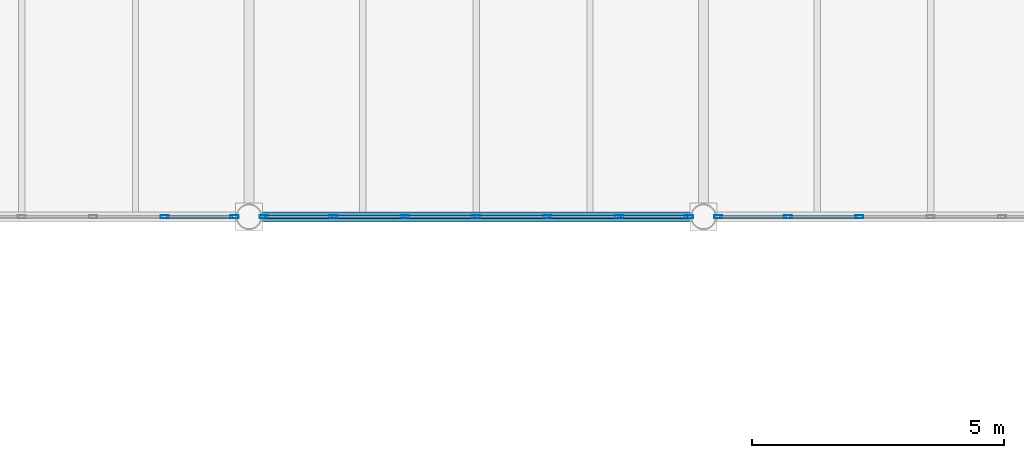
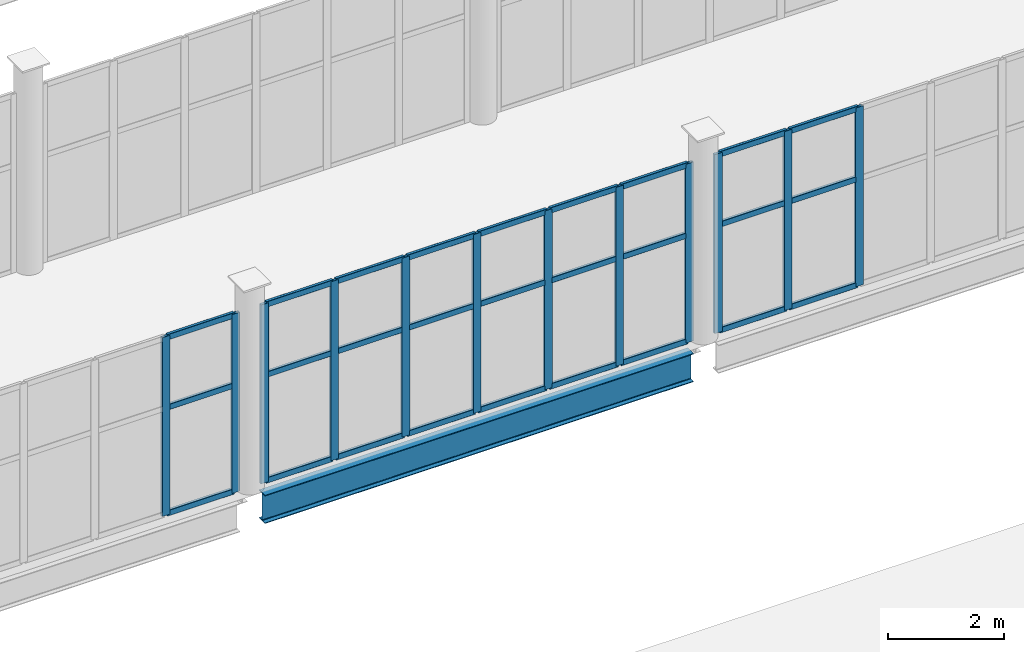
# One storey, part 80 of 136: 39 members, 1 beam, 3 elements without a shape of their own.
"""IFC4 building model written with IfcOpenShell, lengths in metres."""

from ifc_helpers import new_model, si_unit, direction, frame, origin, origin_2d, place, context, subcontext, project, spatial, hollow_rectangle, i_section, extrude, material, material_profile, profile_set, type_object, element, aggregate, save


model = new_model("IFC4")

# Units and contexts
model_context = context("Model", 3, precision=1e-05, world=origin(), true_north=direction((0.0, 1.0)))
body_context = subcontext(model_context, "Body", "Model", "MODEL_VIEW")
ifc_project = project(units=[si_unit("LENGTHUNIT", "METRE"), si_unit("AREAUNIT", "SQUARE_METRE"), si_unit("VOLUMEUNIT", "CUBIC_METRE"), si_unit("PLANEANGLEUNIT", "RADIAN"), si_unit("MASSUNIT", "GRAM", prefix="KILO")], contexts=[model_context])

# Site, building, storey
site_placement = place(None, origin())
site = spatial("IfcSite", under=ifc_project, at=site_placement, CompositionType="ELEMENT")
building_placement = place(site_placement, origin())
building = spatial("IfcBuilding", under=site, at=building_placement, Name="Shengluoqiao Park Theatre", CompositionType="ELEMENT")
storey_placement = place(building_placement, frame((0.0, 0.0, 10.0)))
storey = spatial("IfcBuildingStorey", under=building, at=storey_placement, Name="L02", CompositionType="ELEMENT", Elevation=10.0)

# Curtain wall, members
ifc_material_1 = material(Name="Aluminium 6063-T6", Category="aluminium")
curtain_wall_type = type_object("IfcCurtainWallType", Name="ENV-CW-BRIDGE", PredefinedType="NOTDEFINED", material=ifc_material_1)
curtain_wall_1_placement = place(storey_placement, origin())
curtain_wall_1 = element("IfcCurtainWall", 1, at=curtain_wall_1_placement, inside=storey, type_object=curtain_wall_type, Name="L02 Curtain Wall CWX-L02-0111", PredefinedType="NOTDEFINED")
ifc_material_profile_1 = material_profile(ifc_material_1, hollow_rectangle(XDim=0.06005859375, YDim=0.159912109375, WallThickness=0.00390625, InnerFilletRadius=0.00390625, OuterFilletRadius=0.008056640625, at=origin_2d()), Name="ALU MULLION 160x60x4")
ifc_profile_set_1 = profile_set([ifc_material_profile_1], Name="Aluminium 6063-T6")
member_type_1 = type_object("IfcMemberType", Name="ENV-MUL-160", PredefinedType="MULLION", material=ifc_profile_set_1)
member_1_placement = place(storey_placement, frame((128.72802734375, 68.39990234375, 0.0), z_axis=(0.0, 0.0, 1.0), x_axis=(0.0, 1.0, 0.0)))
member_1 = element("IfcMember", 2, at=member_1_placement, type_object=member_type_1, Name="CW-03 mullion 6", PredefinedType="MULLION", context=body_context, shape_type="SweptSolid", body=[
    extrude(hollow_rectangle(XDim=0.06005859375, YDim=0.159912109375, WallThickness=0.00390625, InnerFilletRadius=0.00390625, OuterFilletRadius=0.008056640625, at=origin_2d()), origin(), (0.0, 0.0, 1.0), 3.751953125),
])
member_2_placement = place(storey_placement, frame((130.112060546875, 68.39990234375, 0.0), z_axis=(0.0, 0.0, 1.0), x_axis=(0.0, 1.0, 0.0)))
member_2 = element("IfcMember", 3, at=member_2_placement, type_object=member_type_1, Name="CW-03 mullion 7", PredefinedType="MULLION", context=body_context, shape_type="SweptSolid", body=[
    extrude(hollow_rectangle(XDim=0.06005859375, YDim=0.159912109375, WallThickness=0.00390625, InnerFilletRadius=0.00390625, OuterFilletRadius=0.008056640625, at=origin_2d()), origin(), (0.0, 0.0, 1.0), 3.751953125),
])

curtain_wall_2_placement = place(storey_placement, origin())
curtain_wall_2 = element("IfcCurtainWall", 4, at=curtain_wall_2_placement, inside=storey, type_object=curtain_wall_type, Name="L02 Curtain Wall CWX-L02-0112", PredefinedType="NOTDEFINED")
member_3_placement = place(storey_placement, frame((130.68798828125, 68.39990234375, 0.0), z_axis=(0.0, 0.0, 1.0), x_axis=(0.0, 1.0, 0.0)))
member_3 = element("IfcMember", 5, at=member_3_placement, type_object=member_type_1, Name="CW-03 mullion 1", PredefinedType="MULLION", context=body_context, shape_type="SweptSolid", body=[
    extrude(hollow_rectangle(XDim=0.06005859375, YDim=0.159912109375, WallThickness=0.00390625, InnerFilletRadius=0.00390625, OuterFilletRadius=0.008056640625, at=origin_2d()), origin(), (0.0, 0.0, 1.0), 3.751953125),
])
member_4_placement = place(storey_placement, frame((132.072021484375, 68.39990234375, 0.0), z_axis=(0.0, 0.0, 1.0), x_axis=(0.0, 1.0, 0.0)))
member_4 = element("IfcMember", 6, at=member_4_placement, type_object=member_type_1, Name="CW-03 mullion 2", PredefinedType="MULLION", context=body_context, shape_type="SweptSolid", body=[
    extrude(hollow_rectangle(XDim=0.06005859375, YDim=0.159912109375, WallThickness=0.00390625, InnerFilletRadius=0.00390625, OuterFilletRadius=0.008056640625, at=origin_2d()), origin(), (0.0, 0.0, 1.0), 3.751953125),
])
member_5_placement = place(storey_placement, frame((133.486083984375, 68.39990234375, 0.0), z_axis=(0.0, 0.0, 1.0), x_axis=(0.0, 1.0, 0.0)))
member_5 = element("IfcMember", 7, at=member_5_placement, type_object=member_type_1, Name="CW-03 mullion 3", PredefinedType="MULLION", context=body_context, shape_type="SweptSolid", body=[
    extrude(hollow_rectangle(XDim=0.06005859375, YDim=0.159912109375, WallThickness=0.00390625, InnerFilletRadius=0.00390625, OuterFilletRadius=0.008056640625, at=origin_2d()), origin(), (0.0, 0.0, 1.0), 3.751953125),
])
member_6_placement = place(storey_placement, frame((134.89990234375, 68.39990234375, 0.0), z_axis=(0.0, 0.0, 1.0), x_axis=(0.0, 1.0, 0.0)))
member_6 = element("IfcMember", 8, at=member_6_placement, type_object=member_type_1, Name="CW-03 mullion 4", PredefinedType="MULLION", context=body_context, shape_type="SweptSolid", body=[
    extrude(hollow_rectangle(XDim=0.06005859375, YDim=0.159912109375, WallThickness=0.00390625, InnerFilletRadius=0.00390625, OuterFilletRadius=0.008056640625, at=origin_2d()), origin(), (0.0, 0.0, 1.0), 3.751953125),
])
member_7_placement = place(storey_placement, frame((136.31396484375, 68.39990234375, 0.0), z_axis=(0.0, 0.0, 1.0), x_axis=(0.0, 1.0, 0.0)))
member_7 = element("IfcMember", 9, at=member_7_placement, type_object=member_type_1, Name="CW-03 mullion 5", PredefinedType="MULLION", context=body_context, shape_type="SweptSolid", body=[
    extrude(hollow_rectangle(XDim=0.06005859375, YDim=0.159912109375, WallThickness=0.00390625, InnerFilletRadius=0.00390625, OuterFilletRadius=0.008056640625, at=origin_2d()), origin(), (0.0, 0.0, 1.0), 3.751953125),
])
member_8_placement = place(storey_placement, frame((137.72802734375, 68.39990234375, 0.0), z_axis=(0.0, 0.0, 1.0), x_axis=(0.0, 1.0, 0.0)))
member_8 = element("IfcMember", 10, at=member_8_placement, type_object=member_type_1, Name="CW-03 mullion 6", PredefinedType="MULLION", context=body_context, shape_type="SweptSolid", body=[
    extrude(hollow_rectangle(XDim=0.06005859375, YDim=0.159912109375, WallThickness=0.00390625, InnerFilletRadius=0.00390625, OuterFilletRadius=0.008056640625, at=origin_2d()), origin(), (0.0, 0.0, 1.0), 3.751953125),
])
member_9_placement = place(storey_placement, frame((139.112060546875, 68.39990234375, 0.0), z_axis=(0.0, 0.0, 1.0), x_axis=(0.0, 1.0, 0.0)))
member_9 = element("IfcMember", 11, at=member_9_placement, type_object=member_type_1, Name="CW-03 mullion 7", PredefinedType="MULLION", context=body_context, shape_type="SweptSolid", body=[
    extrude(hollow_rectangle(XDim=0.06005859375, YDim=0.159912109375, WallThickness=0.00390625, InnerFilletRadius=0.00390625, OuterFilletRadius=0.008056640625, at=origin_2d()), origin(), (0.0, 0.0, 1.0), 3.751953125),
])

curtain_wall_3_placement = place(storey_placement, origin())
curtain_wall_3 = element("IfcCurtainWall", 12, at=curtain_wall_3_placement, inside=storey, type_object=curtain_wall_type, Name="L02 Curtain Wall CWX-L02-0113", PredefinedType="NOTDEFINED")
member_10_placement = place(storey_placement, frame((139.68798828125, 68.39990234375, 0.0), z_axis=(0.0, 0.0, 1.0), x_axis=(0.0, 1.0, 0.0)))
member_10 = element("IfcMember", 13, at=member_10_placement, type_object=member_type_1, Name="CW-03 mullion 1", PredefinedType="MULLION", context=body_context, shape_type="SweptSolid", body=[
    extrude(hollow_rectangle(XDim=0.06005859375, YDim=0.159912109375, WallThickness=0.00390625, InnerFilletRadius=0.00390625, OuterFilletRadius=0.008056640625, at=origin_2d()), origin(), (0.0, 0.0, 1.0), 3.751953125),
])
member_11_placement = place(storey_placement, frame((141.072021484375, 68.39990234375, 0.0), z_axis=(0.0, 0.0, 1.0), x_axis=(0.0, 1.0, 0.0)))
member_11 = element("IfcMember", 14, at=member_11_placement, type_object=member_type_1, Name="CW-03 mullion 2", PredefinedType="MULLION", context=body_context, shape_type="SweptSolid", body=[
    extrude(hollow_rectangle(XDim=0.06005859375, YDim=0.159912109375, WallThickness=0.00390625, InnerFilletRadius=0.00390625, OuterFilletRadius=0.008056640625, at=origin_2d()), origin(), (0.0, 0.0, 1.0), 3.751953125),
])
member_12_placement = place(storey_placement, frame((142.486083984375, 68.39990234375, 0.0), z_axis=(0.0, 0.0, 1.0), x_axis=(0.0, 1.0, 0.0)))
member_12 = element("IfcMember", 15, at=member_12_placement, type_object=member_type_1, Name="CW-03 mullion 3", PredefinedType="MULLION", context=body_context, shape_type="SweptSolid", body=[
    extrude(hollow_rectangle(XDim=0.06005859375, YDim=0.159912109375, WallThickness=0.00390625, InnerFilletRadius=0.00390625, OuterFilletRadius=0.008056640625, at=origin_2d()), origin(), (0.0, 0.0, 1.0), 3.751953125),
])

# Member
ifc_material_profile_2 = material_profile(ifc_material_1, hollow_rectangle(XDim=0.06005859375, YDim=0.1201171875, WallThickness=0.00390625, InnerFilletRadius=0.00390625, OuterFilletRadius=0.008056640625, at=origin_2d()), Name="ALU TRANSOM 120x60x4")
ifc_profile_set_2 = profile_set([ifc_material_profile_2], Name="Aluminium 6063-T6")
member_type_2 = type_object("IfcMemberType", Name="ENV-TRN-120", PredefinedType="USERDEFINED", material=ifc_profile_set_2)
member_13_placement = place(storey_placement, frame((128.758056640625, 68.39990234375, 0.030029296875), z_axis=(1.0, 0.0, 0.0), x_axis=(0.0, 1.0, 0.0)))
member_13 = element("IfcMember", 16, at=member_13_placement, type_object=member_type_2, Name="CW-03 transom 6.1", ObjectType="TRANSOM", PredefinedType="USERDEFINED", context=body_context, shape_type="SweptSolid", body=[
    extrude(hollow_rectangle(XDim=0.06005859375, YDim=0.1201171875, WallThickness=0.00390625, InnerFilletRadius=0.00390625, OuterFilletRadius=0.008056640625, at=origin_2d()), origin(), (0.0, 0.0, 1.0), 1.323974609375),
])

member_14_placement = place(storey_placement, frame((128.758056640625, 68.39990234375, 2.2509765625), z_axis=(1.0, 0.0, 0.0), x_axis=(0.0, 1.0, 0.0)))
member_14 = element("IfcMember", 17, at=member_14_placement, type_object=member_type_2, Name="CW-03 transom 6.2", ObjectType="TRANSOM", PredefinedType="USERDEFINED", context=body_context, shape_type="SweptSolid", body=[
    extrude(hollow_rectangle(XDim=0.06005859375, YDim=0.1201171875, WallThickness=0.00390625, InnerFilletRadius=0.00390625, OuterFilletRadius=0.008056640625, at=origin_2d()), origin(), (0.0, 0.0, 1.0), 1.323974609375),
])

member_15_placement = place(storey_placement, frame((128.758056640625, 68.39990234375, 3.721923828125), z_axis=(1.0, 0.0, 0.0), x_axis=(0.0, 1.0, 0.0)))
member_15 = element("IfcMember", 18, at=member_15_placement, type_object=member_type_2, Name="CW-03 transom 6.3", ObjectType="TRANSOM", PredefinedType="USERDEFINED", context=body_context, shape_type="SweptSolid", body=[
    extrude(hollow_rectangle(XDim=0.06005859375, YDim=0.1201171875, WallThickness=0.00390625, InnerFilletRadius=0.00390625, OuterFilletRadius=0.008056640625, at=origin_2d()), origin(), (0.0, 0.0, 1.0), 1.323974609375),
])

aggregate(curtain_wall_1, [member_1, member_2, member_13, member_14, member_15])

member_16_placement = place(storey_placement, frame((130.718017578125, 68.39990234375, 0.030029296875), z_axis=(1.0, 0.0, 0.0), x_axis=(0.0, 1.0, 0.0)))
member_16 = element("IfcMember", 19, at=member_16_placement, type_object=member_type_2, Name="CW-03 transom 1.1", ObjectType="TRANSOM", PredefinedType="USERDEFINED", context=body_context, shape_type="SweptSolid", body=[
    extrude(hollow_rectangle(XDim=0.06005859375, YDim=0.1201171875, WallThickness=0.00390625, InnerFilletRadius=0.00390625, OuterFilletRadius=0.008056640625, at=origin_2d()), origin(), (0.0, 0.0, 1.0), 1.323974609375),
])

member_17_placement = place(storey_placement, frame((130.718017578125, 68.39990234375, 2.2509765625), z_axis=(1.0, 0.0, 0.0), x_axis=(0.0, 1.0, 0.0)))
member_17 = element("IfcMember", 20, at=member_17_placement, type_object=member_type_2, Name="CW-03 transom 1.2", ObjectType="TRANSOM", PredefinedType="USERDEFINED", context=body_context, shape_type="SweptSolid", body=[
    extrude(hollow_rectangle(XDim=0.06005859375, YDim=0.1201171875, WallThickness=0.00390625, InnerFilletRadius=0.00390625, OuterFilletRadius=0.008056640625, at=origin_2d()), origin(), (0.0, 0.0, 1.0), 1.323974609375),
])

member_18_placement = place(storey_placement, frame((130.718017578125, 68.39990234375, 3.721923828125), z_axis=(1.0, 0.0, 0.0), x_axis=(0.0, 1.0, 0.0)))
member_18 = element("IfcMember", 21, at=member_18_placement, type_object=member_type_2, Name="CW-03 transom 1.3", ObjectType="TRANSOM", PredefinedType="USERDEFINED", context=body_context, shape_type="SweptSolid", body=[
    extrude(hollow_rectangle(XDim=0.06005859375, YDim=0.1201171875, WallThickness=0.00390625, InnerFilletRadius=0.00390625, OuterFilletRadius=0.008056640625, at=origin_2d()), origin(), (0.0, 0.0, 1.0), 1.323974609375),
])

member_19_placement = place(storey_placement, frame((132.10205078125, 68.39990234375, 0.030029296875), z_axis=(1.0, 0.0, 0.0), x_axis=(0.0, 1.0, 0.0)))
member_19 = element("IfcMember", 22, at=member_19_placement, type_object=member_type_2, Name="CW-03 transom 2.1", ObjectType="TRANSOM", PredefinedType="USERDEFINED", context=body_context, shape_type="SweptSolid", body=[
    extrude(hollow_rectangle(XDim=0.06005859375, YDim=0.1201171875, WallThickness=0.00390625, InnerFilletRadius=0.00390625, OuterFilletRadius=0.008056640625, at=origin_2d()), origin(), (0.0, 0.0, 1.0), 1.35400390625),
])

member_20_placement = place(storey_placement, frame((132.10205078125, 68.39990234375, 2.2509765625), z_axis=(1.0, 0.0, 0.0), x_axis=(0.0, 1.0, 0.0)))
member_20 = element("IfcMember", 23, at=member_20_placement, type_object=member_type_2, Name="CW-03 transom 2.2", ObjectType="TRANSOM", PredefinedType="USERDEFINED", context=body_context, shape_type="SweptSolid", body=[
    extrude(hollow_rectangle(XDim=0.06005859375, YDim=0.1201171875, WallThickness=0.00390625, InnerFilletRadius=0.00390625, OuterFilletRadius=0.008056640625, at=origin_2d()), origin(), (0.0, 0.0, 1.0), 1.35400390625),
])

member_21_placement = place(storey_placement, frame((132.10205078125, 68.39990234375, 3.721923828125), z_axis=(1.0, 0.0, 0.0), x_axis=(0.0, 1.0, 0.0)))
member_21 = element("IfcMember", 24, at=member_21_placement, type_object=member_type_2, Name="CW-03 transom 2.3", ObjectType="TRANSOM", PredefinedType="USERDEFINED", context=body_context, shape_type="SweptSolid", body=[
    extrude(hollow_rectangle(XDim=0.06005859375, YDim=0.1201171875, WallThickness=0.00390625, InnerFilletRadius=0.00390625, OuterFilletRadius=0.008056640625, at=origin_2d()), origin(), (0.0, 0.0, 1.0), 1.35400390625),
])

member_22_placement = place(storey_placement, frame((133.51611328125, 68.39990234375, 0.030029296875), z_axis=(1.0, 0.0, 0.0), x_axis=(0.0, 1.0, 0.0)))
member_22 = element("IfcMember", 25, at=member_22_placement, type_object=member_type_2, Name="CW-03 transom 3.1", ObjectType="TRANSOM", PredefinedType="USERDEFINED", context=body_context, shape_type="SweptSolid", body=[
    extrude(hollow_rectangle(XDim=0.06005859375, YDim=0.1201171875, WallThickness=0.00390625, InnerFilletRadius=0.00390625, OuterFilletRadius=0.008056640625, at=origin_2d()), origin(), (0.0, 0.0, 1.0), 1.35400390625),
])

member_23_placement = place(storey_placement, frame((133.51611328125, 68.39990234375, 2.2509765625), z_axis=(1.0, 0.0, 0.0), x_axis=(0.0, 1.0, 0.0)))
member_23 = element("IfcMember", 26, at=member_23_placement, type_object=member_type_2, Name="CW-03 transom 3.2", ObjectType="TRANSOM", PredefinedType="USERDEFINED", context=body_context, shape_type="SweptSolid", body=[
    extrude(hollow_rectangle(XDim=0.06005859375, YDim=0.1201171875, WallThickness=0.00390625, InnerFilletRadius=0.00390625, OuterFilletRadius=0.008056640625, at=origin_2d()), origin(), (0.0, 0.0, 1.0), 1.35400390625),
])

member_24_placement = place(storey_placement, frame((133.51611328125, 68.39990234375, 3.721923828125), z_axis=(1.0, 0.0, 0.0), x_axis=(0.0, 1.0, 0.0)))
member_24 = element("IfcMember", 27, at=member_24_placement, type_object=member_type_2, Name="CW-03 transom 3.3", ObjectType="TRANSOM", PredefinedType="USERDEFINED", context=body_context, shape_type="SweptSolid", body=[
    extrude(hollow_rectangle(XDim=0.06005859375, YDim=0.1201171875, WallThickness=0.00390625, InnerFilletRadius=0.00390625, OuterFilletRadius=0.008056640625, at=origin_2d()), origin(), (0.0, 0.0, 1.0), 1.35400390625),
])

member_25_placement = place(storey_placement, frame((134.929931640625, 68.39990234375, 0.030029296875), z_axis=(1.0, 0.0, 0.0), x_axis=(0.0, 1.0, 0.0)))
member_25 = element("IfcMember", 28, at=member_25_placement, type_object=member_type_2, Name="CW-03 transom 4.1", ObjectType="TRANSOM", PredefinedType="USERDEFINED", context=body_context, shape_type="SweptSolid", body=[
    extrude(hollow_rectangle(XDim=0.06005859375, YDim=0.1201171875, WallThickness=0.00390625, InnerFilletRadius=0.00390625, OuterFilletRadius=0.008056640625, at=origin_2d()), origin(), (0.0, 0.0, 1.0), 1.35400390625),
])

member_26_placement = place(storey_placement, frame((134.929931640625, 68.39990234375, 2.2509765625), z_axis=(1.0, 0.0, 0.0), x_axis=(0.0, 1.0, 0.0)))
member_26 = element("IfcMember", 29, at=member_26_placement, type_object=member_type_2, Name="CW-03 transom 4.2", ObjectType="TRANSOM", PredefinedType="USERDEFINED", context=body_context, shape_type="SweptSolid", body=[
    extrude(hollow_rectangle(XDim=0.06005859375, YDim=0.1201171875, WallThickness=0.00390625, InnerFilletRadius=0.00390625, OuterFilletRadius=0.008056640625, at=origin_2d()), origin(), (0.0, 0.0, 1.0), 1.35400390625),
])

member_27_placement = place(storey_placement, frame((134.929931640625, 68.39990234375, 3.721923828125), z_axis=(1.0, 0.0, 0.0), x_axis=(0.0, 1.0, 0.0)))
member_27 = element("IfcMember", 30, at=member_27_placement, type_object=member_type_2, Name="CW-03 transom 4.3", ObjectType="TRANSOM", PredefinedType="USERDEFINED", context=body_context, shape_type="SweptSolid", body=[
    extrude(hollow_rectangle(XDim=0.06005859375, YDim=0.1201171875, WallThickness=0.00390625, InnerFilletRadius=0.00390625, OuterFilletRadius=0.008056640625, at=origin_2d()), origin(), (0.0, 0.0, 1.0), 1.35400390625),
])

member_28_placement = place(storey_placement, frame((136.343994140625, 68.39990234375, 0.030029296875), z_axis=(1.0, 0.0, 0.0), x_axis=(0.0, 1.0, 0.0)))
member_28 = element("IfcMember", 31, at=member_28_placement, type_object=member_type_2, Name="CW-03 transom 5.1", ObjectType="TRANSOM", PredefinedType="USERDEFINED", context=body_context, shape_type="SweptSolid", body=[
    extrude(hollow_rectangle(XDim=0.06005859375, YDim=0.1201171875, WallThickness=0.00390625, InnerFilletRadius=0.00390625, OuterFilletRadius=0.008056640625, at=origin_2d()), origin(), (0.0, 0.0, 1.0), 1.35400390625),
])

member_29_placement = place(storey_placement, frame((136.343994140625, 68.39990234375, 2.2509765625), z_axis=(1.0, 0.0, 0.0), x_axis=(0.0, 1.0, 0.0)))
member_29 = element("IfcMember", 32, at=member_29_placement, type_object=member_type_2, Name="CW-03 transom 5.2", ObjectType="TRANSOM", PredefinedType="USERDEFINED", context=body_context, shape_type="SweptSolid", body=[
    extrude(hollow_rectangle(XDim=0.06005859375, YDim=0.1201171875, WallThickness=0.00390625, InnerFilletRadius=0.00390625, OuterFilletRadius=0.008056640625, at=origin_2d()), origin(), (0.0, 0.0, 1.0), 1.35400390625),
])

member_30_placement = place(storey_placement, frame((136.343994140625, 68.39990234375, 3.721923828125), z_axis=(1.0, 0.0, 0.0), x_axis=(0.0, 1.0, 0.0)))
member_30 = element("IfcMember", 33, at=member_30_placement, type_object=member_type_2, Name="CW-03 transom 5.3", ObjectType="TRANSOM", PredefinedType="USERDEFINED", context=body_context, shape_type="SweptSolid", body=[
    extrude(hollow_rectangle(XDim=0.06005859375, YDim=0.1201171875, WallThickness=0.00390625, InnerFilletRadius=0.00390625, OuterFilletRadius=0.008056640625, at=origin_2d()), origin(), (0.0, 0.0, 1.0), 1.35400390625),
])

member_31_placement = place(storey_placement, frame((137.758056640625, 68.39990234375, 0.030029296875), z_axis=(1.0, 0.0, 0.0), x_axis=(0.0, 1.0, 0.0)))
member_31 = element("IfcMember", 34, at=member_31_placement, type_object=member_type_2, Name="CW-03 transom 6.1", ObjectType="TRANSOM", PredefinedType="USERDEFINED", context=body_context, shape_type="SweptSolid", body=[
    extrude(hollow_rectangle(XDim=0.06005859375, YDim=0.1201171875, WallThickness=0.00390625, InnerFilletRadius=0.00390625, OuterFilletRadius=0.008056640625, at=origin_2d()), origin(), (0.0, 0.0, 1.0), 1.323974609375),
])

member_32_placement = place(storey_placement, frame((137.758056640625, 68.39990234375, 2.2509765625), z_axis=(1.0, 0.0, 0.0), x_axis=(0.0, 1.0, 0.0)))
member_32 = element("IfcMember", 35, at=member_32_placement, type_object=member_type_2, Name="CW-03 transom 6.2", ObjectType="TRANSOM", PredefinedType="USERDEFINED", context=body_context, shape_type="SweptSolid", body=[
    extrude(hollow_rectangle(XDim=0.06005859375, YDim=0.1201171875, WallThickness=0.00390625, InnerFilletRadius=0.00390625, OuterFilletRadius=0.008056640625, at=origin_2d()), origin(), (0.0, 0.0, 1.0), 1.323974609375),
])

member_33_placement = place(storey_placement, frame((137.758056640625, 68.39990234375, 3.721923828125), z_axis=(1.0, 0.0, 0.0), x_axis=(0.0, 1.0, 0.0)))
member_33 = element("IfcMember", 36, at=member_33_placement, type_object=member_type_2, Name="CW-03 transom 6.3", ObjectType="TRANSOM", PredefinedType="USERDEFINED", context=body_context, shape_type="SweptSolid", body=[
    extrude(hollow_rectangle(XDim=0.06005859375, YDim=0.1201171875, WallThickness=0.00390625, InnerFilletRadius=0.00390625, OuterFilletRadius=0.008056640625, at=origin_2d()), origin(), (0.0, 0.0, 1.0), 1.323974609375),
])

aggregate(curtain_wall_2, [member_3, member_4, member_5, member_6, member_7, member_8, member_9, member_16, member_17, member_18, member_19, member_20, member_21, member_22, member_23, member_24, member_25, member_26, member_27, member_28, member_29, member_30, member_31, member_32, member_33])

member_34_placement = place(storey_placement, frame((139.718017578125, 68.39990234375, 0.030029296875), z_axis=(1.0, 0.0, 0.0), x_axis=(0.0, 1.0, 0.0)))
member_34 = element("IfcMember", 37, at=member_34_placement, type_object=member_type_2, Name="CW-03 transom 1.1", ObjectType="TRANSOM", PredefinedType="USERDEFINED", context=body_context, shape_type="SweptSolid", body=[
    extrude(hollow_rectangle(XDim=0.06005859375, YDim=0.1201171875, WallThickness=0.00390625, InnerFilletRadius=0.00390625, OuterFilletRadius=0.008056640625, at=origin_2d()), origin(), (0.0, 0.0, 1.0), 1.323974609375),
])

member_35_placement = place(storey_placement, frame((139.718017578125, 68.39990234375, 2.2509765625), z_axis=(1.0, 0.0, 0.0), x_axis=(0.0, 1.0, 0.0)))
member_35 = element("IfcMember", 38, at=member_35_placement, type_object=member_type_2, Name="CW-03 transom 1.2", ObjectType="TRANSOM", PredefinedType="USERDEFINED", context=body_context, shape_type="SweptSolid", body=[
    extrude(hollow_rectangle(XDim=0.06005859375, YDim=0.1201171875, WallThickness=0.00390625, InnerFilletRadius=0.00390625, OuterFilletRadius=0.008056640625, at=origin_2d()), origin(), (0.0, 0.0, 1.0), 1.323974609375),
])

member_36_placement = place(storey_placement, frame((139.718017578125, 68.39990234375, 3.721923828125), z_axis=(1.0, 0.0, 0.0), x_axis=(0.0, 1.0, 0.0)))
member_36 = element("IfcMember", 39, at=member_36_placement, type_object=member_type_2, Name="CW-03 transom 1.3", ObjectType="TRANSOM", PredefinedType="USERDEFINED", context=body_context, shape_type="SweptSolid", body=[
    extrude(hollow_rectangle(XDim=0.06005859375, YDim=0.1201171875, WallThickness=0.00390625, InnerFilletRadius=0.00390625, OuterFilletRadius=0.008056640625, at=origin_2d()), origin(), (0.0, 0.0, 1.0), 1.323974609375),
])

member_37_placement = place(storey_placement, frame((141.10205078125, 68.39990234375, 0.030029296875), z_axis=(1.0, 0.0, 0.0), x_axis=(0.0, 1.0, 0.0)))
member_37 = element("IfcMember", 40, at=member_37_placement, type_object=member_type_2, Name="CW-03 transom 2.1", ObjectType="TRANSOM", PredefinedType="USERDEFINED", context=body_context, shape_type="SweptSolid", body=[
    extrude(hollow_rectangle(XDim=0.06005859375, YDim=0.1201171875, WallThickness=0.00390625, InnerFilletRadius=0.00390625, OuterFilletRadius=0.008056640625, at=origin_2d()), origin(), (0.0, 0.0, 1.0), 1.35400390625),
])

member_38_placement = place(storey_placement, frame((141.10205078125, 68.39990234375, 2.2509765625), z_axis=(1.0, 0.0, 0.0), x_axis=(0.0, 1.0, 0.0)))
member_38 = element("IfcMember", 41, at=member_38_placement, type_object=member_type_2, Name="CW-03 transom 2.2", ObjectType="TRANSOM", PredefinedType="USERDEFINED", context=body_context, shape_type="SweptSolid", body=[
    extrude(hollow_rectangle(XDim=0.06005859375, YDim=0.1201171875, WallThickness=0.00390625, InnerFilletRadius=0.00390625, OuterFilletRadius=0.008056640625, at=origin_2d()), origin(), (0.0, 0.0, 1.0), 1.35400390625),
])

member_39_placement = place(storey_placement, frame((141.10205078125, 68.39990234375, 3.721923828125), z_axis=(1.0, 0.0, 0.0), x_axis=(0.0, 1.0, 0.0)))
member_39 = element("IfcMember", 42, at=member_39_placement, type_object=member_type_2, Name="CW-03 transom 2.3", ObjectType="TRANSOM", PredefinedType="USERDEFINED", context=body_context, shape_type="SweptSolid", body=[
    extrude(hollow_rectangle(XDim=0.06005859375, YDim=0.1201171875, WallThickness=0.00390625, InnerFilletRadius=0.00390625, OuterFilletRadius=0.008056640625, at=origin_2d()), origin(), (0.0, 0.0, 1.0), 1.35400390625),
])

aggregate(curtain_wall_3, [member_10, member_11, member_12, member_34, member_35, member_36, member_37, member_38, member_39])

# Beam
ifc_material_2 = material(Name="Steel Q355", Category="steel")
ifc_material_profile_3 = material_profile(ifc_material_2, i_section(OverallWidth=0.198974609375, OverallDepth=0.595947265625, WebThickness=0.010009765625, FlangeThickness=0.014892578125, FilletRadius=0.02001953125, at=origin_2d()), Name="HN 596x199x10x15")
ifc_profile_set_3 = profile_set([ifc_material_profile_3], Name="Steel Q355")
beam_type = type_object("IfcBeamType", Name="STR-BM-SP-HN596", PredefinedType="SPANDREL", material=ifc_profile_set_3)
beam_placement = place(storey_placement, frame((130.64794921875, 68.39990234375, -0.508056640625), z_axis=(1.0, 0.0, 0.0), x_axis=(0.0, 1.0, 0.0)))
element("IfcBeam", 43, at=beam_placement, inside=storey, type_object=beam_type, Name="L02 Primary Girder 01010", PredefinedType="SPANDREL", context=body_context, shape_type="SweptSolid", body=[
    extrude(i_section(OverallWidth=0.198974609375, OverallDepth=0.595947265625, WebThickness=0.010009765625, FlangeThickness=0.014892578125, FilletRadius=0.02001953125, at=origin_2d()), origin(), (0.0, 0.0, 1.0), 8.504150390625),
])

save(model, "model.ifc")
